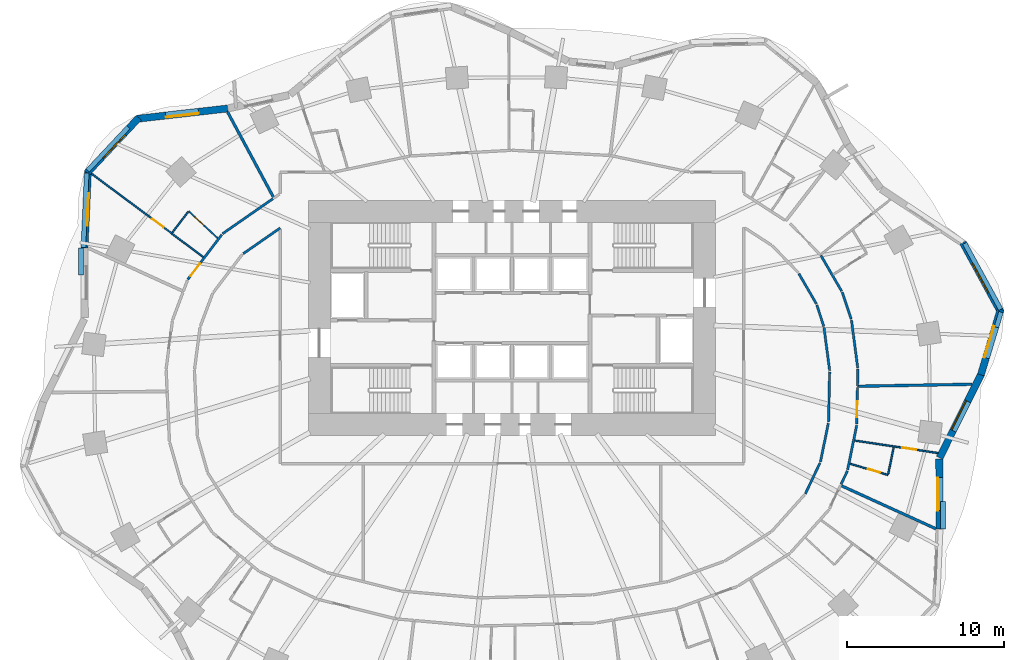
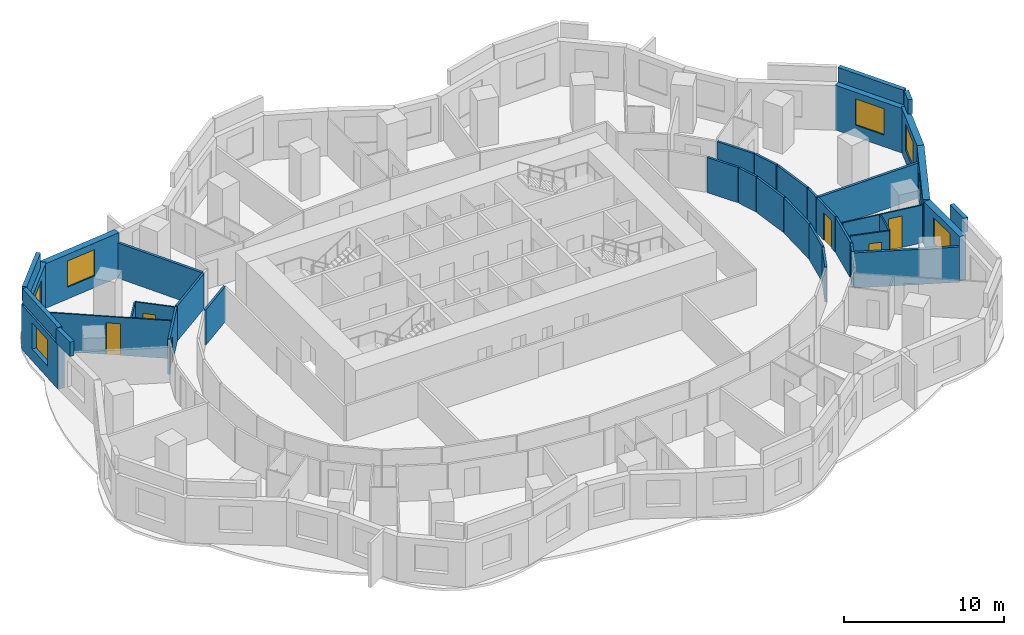
# One storey, part 7 of 11: 38 walls, 7 windows, 6 doors, 13 openings.
"""IFC4 building model written with IfcOpenShell, lengths in metres."""

from ifc_helpers import new_model, si_unit, direction, frame, frame_2d, origin, place, context, subcontext, project, spatial, rectangle, extrude, material, layer, layer_set, type_object, element, fill, save


model = new_model("IFC4")

# Units and contexts
model_context = context("Model", 3, precision=1e-05, world=origin(), true_north=direction((0.0, 1.0)))
body_context = subcontext(model_context, "Body", "Model", "MODEL_VIEW")
ifc_project = project(units=[si_unit("LENGTHUNIT", "METRE"), si_unit("AREAUNIT", "SQUARE_METRE"), si_unit("VOLUMEUNIT", "CUBIC_METRE"), si_unit("PLANEANGLEUNIT", "RADIAN"), si_unit("MASSUNIT", "GRAM", prefix="KILO")], contexts=[model_context])

# Site, building, storey
site_placement = place(None, origin())
site = spatial("IfcSite", under=ifc_project, at=site_placement, CompositionType="ELEMENT")
building_placement = place(site_placement, origin())
building = spatial("IfcBuilding", under=site, at=building_placement, Name="Rubra Terraces Tower", CompositionType="ELEMENT")
storey_placement = place(building_placement, frame((0.0, 0.0, 37.5)))
storey = spatial("IfcBuildingStorey", under=building, at=storey_placement, Name="L06", CompositionType="ELEMENT", Elevation=37.5)

# Walls
ifc_material_1 = material(Name="Twin plasterboard on staggered steel stud, acoustic mineral wool", Category="steel")
ifc_layer_1 = layer(ifc_material_1, 0.175048828125)
ifc_layer_set_1 = layer_set([ifc_layer_1], Name="Twin plasterboard on staggered steel stud, acoustic mineral wool")
wall_type_1 = type_object("IfcWallType", Name="ACOUSTIC PARTY WALL 175", PredefinedType="PARTITIONING", material=ifc_layer_set_1)
wall_1_placement = place(storey_placement, frame((29.367919921875, 0.26220703125, 0.0), z_axis=(0.0, 0.0, 1.0), x_axis=(-0.999850929157, -0.017266136319, 0.0)))
element("IfcWall", 1, at=wall_1_placement, inside=storey, type_object=wall_type_1, Name="PARTITION", PredefinedType="PARTITIONING", context=body_context, shape_type="SweptSolid", body=[
    extrude(rectangle(XDim=7.239501953125, YDim=0.175048828125, at=frame_2d((3.61962890625, 0.0))), origin(), (0.0, 0.0, 1.0), 2.679931640625),
])
wall_2_placement = place(storey_placement, frame((-18.152099609375, 17.638916015625, 0.0), z_axis=(0.0, 0.0, 1.0), x_axis=(0.473671861607, -0.880701406563, 0.0)))
element("IfcWall", 2, at=wall_2_placement, inside=storey, type_object=wall_type_1, Name="PARTITION", PredefinedType="PARTITIONING", context=body_context, shape_type="SweptSolid", body=[
    extrude(rectangle(XDim=6.158203125, YDim=0.175048828125, at=frame_2d((3.0791015625, 0.0))), origin(), (0.0, 0.0, 1.0), 2.679931640625),
])
wall_3_placement = place(storey_placement, frame((27.055908203125, -8.9599609375, 0.0), z_axis=(0.0, 0.0, 1.0), x_axis=(-0.910155137501, 0.414267577396, 0.0)))
element("IfcWall", 3, at=wall_3_placement, inside=storey, type_object=wall_type_1, Name="PARTITION", PredefinedType="PARTITIONING", context=body_context, shape_type="SweptSolid", body=[
    extrude(rectangle(XDim=6.610595703125, YDim=0.175048828125, at=frame_2d((3.30517578125, 0.0))), origin(), (0.0, 0.0, 1.0), 2.679931640625),
])

# Wall, opening, window
ifc_material_2 = material(Name="Brick masonry red-brown", Category="masonry")
ifc_layer_2 = layer(ifc_material_2, 0.449951171875)
ifc_layer_set_2 = layer_set([ifc_layer_2], Name="Brick masonry red-brown")
wall_type_2 = type_object("IfcWallType", Name="Brick facade wall 450", PredefinedType="SOLIDWALL", material=ifc_layer_set_2)
wall_4_placement = place(storey_placement, frame((29.926513671875, 0.86474609375, 0.0), z_axis=(0.0, 0.0, 1.0), x_axis=(0.289432445378, 0.957198443147, 0.0)))
wall_4 = element("IfcWall", 4, at=wall_4_placement, inside=storey, type_object=wall_type_2, Name="Facade wall L06 bay 1", PredefinedType="SOLIDWALL", context=body_context, shape_type="SweptSolid", body=[
    extrude(rectangle(XDim=4.361083984375, YDim=0.449951171875, at=frame_2d((2.1806640625, 0.0))), origin(), (0.0, 0.0, 1.0), 3.39990234375),
])
opening_1_placement = place(wall_4_placement, frame((1.130615234375, 0.0, 0.89990234375)))
opening_1 = element("IfcOpeningElement", 5, at=opening_1_placement, cuts=wall_4, Name="Opening W1", PredefinedType="OPENING", context=body_context, shape_type="SweptSolid", body=[
    extrude(rectangle(XDim=2.10009765625, YDim=2.0, at=frame_2d((1.050048828125, 1.0))), frame((0.0, 0.23486328125, 0.0), z_axis=(0.0, -1.0, 0.0), x_axis=(1.0, 0.0, 0.0)), (0.0, 0.0, 1.0), 0.469970703125),
])
ifc_material_3 = material(Name="Clear glass in aluminium frame", Category="aluminium")
window_type = type_object("IfcWindowType", Name="Fixed deep-set window 2100 x 2000", PartitioningType="SINGLE_PANEL", PredefinedType="WINDOW", material=ifc_material_3)
window_1_placement = place(opening_1_placement, origin())
window_1 = element("IfcWindow", 6, at=window_1_placement, inside=storey, type_object=window_type, Name="Window L06 bay 1", OverallHeight=2.0, OverallWidth=2.10009765625, PartitioningType="SINGLE_PANEL", PredefinedType="WINDOW", context=body_context, shape_type="SweptSolid", body=[
    extrude(rectangle(XDim=2.10009765625, YDim=2.0, at=frame_2d((1.050048828125, 1.0))), frame((0.0, 0.135009765625, 0.0), z_axis=(0.0, -1.0, 0.0), x_axis=(1.0, 0.0, 0.0)), (0.0, 0.0, 1.0), 0.06005859375),
])
fill(opening_1, window_1)

wall_5_placement = place(storey_placement, frame((31.20654296875, 4.8662109375, 0.0), z_axis=(0.0, 0.0, 1.0), x_axis=(-0.479565142605, 0.877506281458, 0.0)))
wall_5 = element("IfcWall", 7, at=wall_5_placement, inside=storey, type_object=wall_type_2, Name="Facade wall L06 bay 2", PredefinedType="SOLIDWALL", context=body_context, shape_type="SweptSolid", body=[
    extrude(rectangle(XDim=5.060791015625, YDim=0.449951171875, at=frame_2d((2.5302734375, 0.0))), origin(), (0.0, 0.0, 1.0), 3.39990234375),
])
opening_2_placement = place(wall_5_placement, frame((1.48046875, 0.0, 0.89990234375)))
opening_2 = element("IfcOpeningElement", 8, at=opening_2_placement, cuts=wall_5, Name="Opening W1", PredefinedType="OPENING", context=body_context, shape_type="SweptSolid", body=[
    extrude(rectangle(XDim=2.10009765625, YDim=2.0, at=frame_2d((1.050048828125, 1.0))), frame((0.0, 0.23486328125, 0.0), z_axis=(0.0, -1.0, 0.0), x_axis=(1.0, 0.0, 0.0)), (0.0, 0.0, 1.0), 0.469970703125),
])
window_2_placement = place(opening_2_placement, origin())
window_2 = element("IfcWindow", 9, at=window_2_placement, inside=storey, type_object=window_type, Name="Window L06 bay 2", OverallHeight=2.0, OverallWidth=2.10009765625, PartitioningType="SINGLE_PANEL", PredefinedType="WINDOW", context=body_context, shape_type="SweptSolid", body=[
    extrude(rectangle(XDim=2.10009765625, YDim=2.0, at=frame_2d((1.050048828125, 1.0))), frame((0.0, 0.135009765625, 0.0), z_axis=(0.0, -1.0, 0.0), x_axis=(1.0, 0.0, 0.0)), (0.0, 0.0, 1.0), 0.06005859375),
])
fill(opening_2, window_2)

wall_6_placement = place(storey_placement, frame((-18.154296875, 17.864990234375, 0.0), z_axis=(0.0, 0.0, 1.0), x_axis=(-0.993572909097, -0.113193967633, 0.0)))
wall_6 = element("IfcWall", 10, at=wall_6_placement, inside=storey, type_object=wall_type_2, Name="Facade wall L06 bay 16", PredefinedType="SOLIDWALL", context=body_context, shape_type="SweptSolid", body=[
    extrude(rectangle(XDim=5.838623046875, YDim=0.449951171875, at=frame_2d((2.91943359375, 0.0))), origin(), (0.0, 0.0, 1.0), 3.39990234375),
])
opening_3_placement = place(wall_6_placement, frame((1.869384765625, 0.0, 0.89990234375)))
opening_3 = element("IfcOpeningElement", 11, at=opening_3_placement, cuts=wall_6, Name="Opening W1", PredefinedType="OPENING", context=body_context, shape_type="SweptSolid", body=[
    extrude(rectangle(XDim=2.10009765625, YDim=2.0, at=frame_2d((1.050048828125, 1.0))), frame((0.0, 0.23486328125, 0.0), z_axis=(0.0, -1.0, 0.0), x_axis=(1.0, 0.0, 0.0)), (0.0, 0.0, 1.0), 0.469970703125),
])
window_3_placement = place(opening_3_placement, origin())
window_3 = element("IfcWindow", 12, at=window_3_placement, inside=storey, type_object=window_type, Name="Window L06 bay 16", OverallHeight=2.0, OverallWidth=2.10009765625, PartitioningType="SINGLE_PANEL", PredefinedType="WINDOW", context=body_context, shape_type="SweptSolid", body=[
    extrude(rectangle(XDim=2.10009765625, YDim=2.0, at=frame_2d((1.050048828125, 1.0))), frame((0.0, 0.135009765625, 0.0), z_axis=(0.0, -1.0, 0.0), x_axis=(1.0, 0.0, 0.0)), (0.0, 0.0, 1.0), 0.06005859375),
])
fill(opening_3, window_3)

wall_7_placement = place(storey_placement, frame((-23.822021484375, 17.273193359375, 0.0), z_axis=(0.0, 0.0, 1.0), x_axis=(-0.684173167988, -0.729319598122, 0.0)))
wall_7 = element("IfcWall", 13, at=wall_7_placement, inside=storey, type_object=wall_type_2, Name="Facade wall L06 bay 17", PredefinedType="SOLIDWALL", context=body_context, shape_type="SweptSolid", body=[
    extrude(rectangle(XDim=4.8291015625, YDim=0.449951171875, at=frame_2d((2.41455078125, 0.0))), origin(), (0.0, 0.0, 1.0), 3.39990234375),
])
opening_4_placement = place(wall_7_placement, frame((1.364501953125, 0.0, 0.89990234375)))
opening_4 = element("IfcOpeningElement", 14, at=opening_4_placement, cuts=wall_7, Name="Opening W1", PredefinedType="OPENING", context=body_context, shape_type="SweptSolid", body=[
    extrude(rectangle(XDim=2.10009765625, YDim=2.0, at=frame_2d((1.050048828125, 1.0))), frame((0.0, 0.23486328125, 0.0), z_axis=(0.0, -1.0, 0.0), x_axis=(1.0, 0.0, 0.0)), (0.0, 0.0, 1.0), 0.469970703125),
])
window_4_placement = place(opening_4_placement, origin())
window_4 = element("IfcWindow", 15, at=window_4_placement, inside=storey, type_object=window_type, Name="Window L06 bay 17", OverallHeight=2.0, OverallWidth=2.10009765625, PartitioningType="SINGLE_PANEL", PredefinedType="WINDOW", context=body_context, shape_type="SweptSolid", body=[
    extrude(rectangle(XDim=2.10009765625, YDim=2.0, at=frame_2d((1.050048828125, 1.0))), frame((0.0, 0.135009765625, 0.0), z_axis=(0.0, -1.0, 0.0), x_axis=(1.0, 0.0, 0.0)), (0.0, 0.0, 1.0), 0.06005859375),
])
fill(opening_4, window_4)

wall_8_placement = place(storey_placement, frame((-27.0654296875, 13.889892578125, 0.0), z_axis=(0.0, 0.0, 1.0), x_axis=(-0.044544250924, -0.99900741224, 0.0)))
wall_8 = element("IfcWall", 16, at=wall_8_placement, inside=storey, type_object=wall_type_2, Name="Facade wall L06 bay 18", PredefinedType="SOLIDWALL", context=body_context, shape_type="SweptSolid", body=[
    extrude(rectangle(XDim=4.938232421875, YDim=0.449951171875, at=frame_2d((2.46923828125, 0.0))), origin(), (0.0, 0.0, 1.0), 3.39990234375),
])
opening_5_placement = place(wall_8_placement, frame((1.419189453125, 0.0, 0.89990234375)))
opening_5 = element("IfcOpeningElement", 17, at=opening_5_placement, cuts=wall_8, Name="Opening W1", PredefinedType="OPENING", context=body_context, shape_type="SweptSolid", body=[
    extrude(rectangle(XDim=2.10009765625, YDim=2.0, at=frame_2d((1.050048828125, 1.0))), frame((0.0, 0.23486328125, 0.0), z_axis=(0.0, -1.0, 0.0), x_axis=(1.0, 0.0, 0.0)), (0.0, 0.0, 1.0), 0.469970703125),
])
window_5_placement = place(opening_5_placement, origin())
window_5 = element("IfcWindow", 18, at=window_5_placement, inside=storey, type_object=window_type, Name="Window L06 bay 18", OverallHeight=2.0, OverallWidth=2.10009765625, PartitioningType="SINGLE_PANEL", PredefinedType="WINDOW", context=body_context, shape_type="SweptSolid", body=[
    extrude(rectangle(XDim=2.10009765625, YDim=2.0, at=frame_2d((1.050048828125, 1.0))), frame((0.0, 0.135009765625, 0.0), z_axis=(0.0, -1.0, 0.0), x_axis=(1.0, 0.0, 0.0)), (0.0, 0.0, 1.0), 0.06005859375),
])
fill(opening_5, window_5)

wall_9_placement = place(storey_placement, frame((27.284912109375, -8.966796875, 0.0), z_axis=(0.0, 0.0, 1.0), x_axis=(-0.003185571797, 0.999994926053, 0.0)))
wall_9 = element("IfcWall", 19, at=wall_9_placement, inside=storey, type_object=wall_type_2, Name="Facade wall L06 bay 39", PredefinedType="SOLIDWALL", context=body_context, shape_type="SweptSolid", body=[
    extrude(rectangle(XDim=4.445068359375, YDim=0.449951171875, at=frame_2d((2.22265625, 0.0))), origin(), (0.0, 0.0, 1.0), 3.39990234375),
])
opening_6_placement = place(wall_9_placement, frame((1.172607421875, 0.0, 0.89990234375)))
opening_6 = element("IfcOpeningElement", 20, at=opening_6_placement, cuts=wall_9, Name="Opening W1", PredefinedType="OPENING", context=body_context, shape_type="SweptSolid", body=[
    extrude(rectangle(XDim=2.10009765625, YDim=2.0, at=frame_2d((1.050048828125, 1.0))), frame((0.0, 0.23486328125, 0.0), z_axis=(0.0, -1.0, 0.0), x_axis=(1.0, 0.0, 0.0)), (0.0, 0.0, 1.0), 0.469970703125),
])
window_6_placement = place(opening_6_placement, origin())
window_6 = element("IfcWindow", 21, at=window_6_placement, inside=storey, type_object=window_type, Name="Window L06 bay 39", OverallHeight=2.0, OverallWidth=2.10009765625, PartitioningType="SINGLE_PANEL", PredefinedType="WINDOW", context=body_context, shape_type="SweptSolid", body=[
    extrude(rectangle(XDim=2.10009765625, YDim=2.0, at=frame_2d((1.050048828125, 1.0))), frame((0.0, 0.135009765625, 0.0), z_axis=(0.0, -1.0, 0.0), x_axis=(1.0, 0.0, 0.0)), (0.0, 0.0, 1.0), 0.06005859375),
])
fill(opening_6, window_6)

wall_10_placement = place(storey_placement, frame((27.294189453125, -4.426513671875, 0.0), z_axis=(0.0, 0.0, 1.0), x_axis=(0.444913249375, 0.895573671191, 0.0)))
wall_10 = element("IfcWall", 22, at=wall_10_placement, inside=storey, type_object=wall_type_2, Name="Facade wall L06 bay 40", PredefinedType="SOLIDWALL", context=body_context, shape_type="SweptSolid", body=[
    extrude(rectangle(XDim=5.947265625, YDim=0.449951171875, at=frame_2d((2.9736328125, 0.0))), origin(), (0.0, 0.0, 1.0), 3.39990234375),
])
opening_7_placement = place(wall_10_placement, frame((1.923583984375, 0.0, 0.89990234375)))
opening_7 = element("IfcOpeningElement", 23, at=opening_7_placement, cuts=wall_10, Name="Opening W1", PredefinedType="OPENING", context=body_context, shape_type="SweptSolid", body=[
    extrude(rectangle(XDim=2.10009765625, YDim=2.0, at=frame_2d((1.050048828125, 1.0))), frame((0.0, 0.23486328125, 0.0), z_axis=(0.0, -1.0, 0.0), x_axis=(1.0, 0.0, 0.0)), (0.0, 0.0, 1.0), 0.469970703125),
])
window_7_placement = place(opening_7_placement, origin())
window_7 = element("IfcWindow", 24, at=window_7_placement, inside=storey, type_object=window_type, Name="Window L06 bay 40", OverallHeight=2.0, OverallWidth=2.10009765625, PartitioningType="SINGLE_PANEL", PredefinedType="WINDOW", context=body_context, shape_type="SweptSolid", body=[
    extrude(rectangle(XDim=2.10009765625, YDim=2.0, at=frame_2d((1.050048828125, 1.0))), frame((0.0, 0.135009765625, 0.0), z_axis=(0.0, -1.0, 0.0), x_axis=(1.0, 0.0, 0.0)), (0.0, 0.0, 1.0), 0.06005859375),
])
fill(opening_7, window_7)

# Walls
ifc_layer_3 = layer(ifc_material_2, 0.300048828125)
ifc_layer_set_3 = layer_set([ifc_layer_3], Name="Brick masonry red-brown")
wall_type_3 = type_object("IfcWallType", Name="Brick parapet 300", PredefinedType="PARAPET", material=ifc_layer_set_3)
wall_11_placement = place(storey_placement, frame((30.923583984375, 3.9033203125, 3.60009765625), z_axis=(0.0, 0.0, 1.0), x_axis=(0.289368862089, 0.95721766681, 0.0)))
element("IfcWall", 25, at=wall_11_placement, inside=storey, type_object=wall_type_3, Name="Parapet L06 bay 1", PredefinedType="PARAPET", context=body_context, shape_type="SweptSolid", body=[
    extrude(rectangle(XDim=1.00830078125, YDim=0.300048828125, at=frame_2d((0.504150390625, 0.0))), origin(), (0.0, 0.0, 1.0), 1.099853515625),
])
wall_12_placement = place(storey_placement, frame((31.19775390625, 5.038818359375, 3.60009765625), z_axis=(0.0, 0.0, 1.0), x_axis=(-0.479564593641, 0.877506581472, 0.0)))
element("IfcWall", 26, at=wall_12_placement, inside=storey, type_object=wall_type_3, Name="Parapet L06 bay 2", PredefinedType="PARAPET", context=body_context, shape_type="SweptSolid", body=[
    extrude(rectangle(XDim=4.80078125, YDim=0.300048828125, at=frame_2d((2.400390625, 0.0))), origin(), (0.0, 0.0, 1.0), 1.099853515625),
])
wall_13_placement = place(storey_placement, frame((-24.4814453125, 16.6796875, 3.60009765625), z_axis=(0.0, 0.0, 1.0), x_axis=(-0.684154586848, -0.729337028606, 0.0)))
element("IfcWall", 27, at=wall_13_placement, inside=storey, type_object=wall_type_3, Name="Parapet L06 bay 17", PredefinedType="PARAPET", context=body_context, shape_type="SweptSolid", body=[
    extrude(rectangle(XDim=3.803955078125, YDim=0.300048828125, at=frame_2d((1.90185546875, 0.0))), origin(), (0.0, 0.0, 1.0), 1.099853515625),
])
wall_14_placement = place(storey_placement, frame((-27.146484375, 13.75732421875, 3.60009765625), z_axis=(0.0, 0.0, 1.0), x_axis=(-0.044503972994, -0.999009207359, 0.0)))
element("IfcWall", 28, at=wall_14_placement, inside=storey, type_object=wall_type_3, Name="Parapet L06 bay 18", PredefinedType="PARAPET", context=body_context, shape_type="SweptSolid", body=[
    extrude(rectangle(XDim=4.76708984375, YDim=0.300048828125, at=frame_2d((2.383544921875, 0.0))), origin(), (0.0, 0.0, 1.0), 1.099853515625),
])
for number, where, z_axis, x_axis, name in (
    (29, (-27.510009765625, 8.9716796875, 3.60009765625), (0.0, 0.0, 1.0), (0.003223981002, -0.99999480296, 0.0), "Parapet L06 bay 19"),
    (30, (27.510009765625, -8.9716796875, 3.60009765625), (0.0, 0.0, 1.0), (-0.003223981002, 0.99999480296, 0.0), "Parapet L06 bay 39"),
):
    element("IfcWall", number, at=place(storey_placement, frame(where, z_axis=z_axis, x_axis=x_axis)), inside=storey, type_object=wall_type_3, Name=name, PredefinedType="PARAPET", context=body_context, shape_type="SweptSolid", body=[
        extrude(rectangle(XDim=1.74169921875, YDim=0.300048828125, at=frame_2d((0.870849609375, 0.0))), origin(), (0.0, 0.0, 1.0), 1.099853515625),
    ])
ifc_material_4 = material(Name="Plasterboard on steel stud, mineral wool infill", Category="steel")
ifc_layer_4 = layer(ifc_material_4, 0.14990234375)
ifc_layer_set_4 = layer_set([ifc_layer_4], Name="Plasterboard on steel stud, mineral wool infill")
wall_type_4 = type_object("IfcWallType", Name="CORRIDOR PARTITION 150", PredefinedType="PARTITIONING", material=ifc_layer_set_4)
wall_15_placement = place(storey_placement, frame((22.05419921875, 0.135986328125, 0.0), z_axis=(0.0, 0.0, 1.0), x_axis=(0.021328480471, 0.999772522087, 0.0)))
element("IfcWall", 31, at=wall_15_placement, inside=storey, type_object=wall_type_4, Name="PARTITION", PredefinedType="PARTITIONING", context=body_context, shape_type="SweptSolid", body=[
    extrude(rectangle(XDim=1.098876953125, YDim=0.14990234375, at=frame_2d((0.54931640625, 0.0))), origin(), (0.0, 0.0, 1.0), 2.679931640625),
])
wall_16_placement = place(storey_placement, frame((22.06787109375, 1.30908203125, 0.0), z_axis=(0.0, 0.0, 1.0), x_axis=(-0.129922755307, 0.991524118543, 0.0)))
element("IfcWall", 32, at=wall_16_placement, inside=storey, type_object=wall_type_4, Name="PARTITION", PredefinedType="PARTITIONING", context=body_context, shape_type="SweptSolid", body=[
    extrude(rectangle(XDim=3.076171875, YDim=0.14990234375, at=frame_2d((1.5380859375, 0.0))), origin(), (0.0, 0.0, 1.0), 2.679931640625),
])
wall_17_placement = place(storey_placement, frame((21.644775390625, 4.430419921875, 0.0), z_axis=(0.0, 0.0, 1.0), x_axis=(-0.313700743044, 0.949521902756, 0.0)))
element("IfcWall", 33, at=wall_17_placement, inside=storey, type_object=wall_type_4, Name="PARTITION", PredefinedType="PARTITIONING", context=body_context, shape_type="SweptSolid", body=[
    extrude(rectangle(XDim=1.7978515625, YDim=0.14990234375, at=frame_2d((0.89892578125, 0.0))), origin(), (0.0, 0.0, 1.0), 2.679931640625),
])
wall_18_placement = place(storey_placement, frame((21.043212890625, 6.2021484375, 0.0), z_axis=(0.0, 0.0, 1.0), x_axis=(-0.502371650135, 0.864651794158, 0.0)))
element("IfcWall", 34, at=wall_18_placement, inside=storey, type_object=wall_type_4, Name="PARTITION", PredefinedType="PARTITIONING", context=body_context, shape_type="SweptSolid", body=[
    extrude(rectangle(XDim=2.643798828125, YDim=0.14990234375, at=frame_2d((1.32177734375, 0.0))), origin(), (0.0, 0.0, 1.0), 2.679931640625),
])
wall_19_placement = place(storey_placement, frame((-15.26123046875, 12.1064453125, 0.0), z_axis=(0.0, 0.0, 1.0), x_axis=(-0.821154131814, -0.57070648481, 0.0)))
element("IfcWall", 35, at=wall_19_placement, inside=storey, type_object=wall_type_4, Name="PARTITION", PredefinedType="PARTITIONING", context=body_context, shape_type="SweptSolid", body=[
    extrude(rectangle(XDim=3.916748046875, YDim=0.14990234375, at=frame_2d((1.95849609375, 0.0))), origin(), (0.0, 0.0, 1.0), 2.679931640625),
])

# Wall, opening, door
wall_20_placement = place(storey_placement, frame((-18.52294921875, 9.811279296875, 0.0), z_axis=(0.0, 0.0, 1.0), x_axis=(-0.605040130963, -0.796194976073, 0.0)))
wall_20 = element("IfcWall", 36, at=wall_20_placement, inside=storey, type_object=wall_type_4, Name="PARTITION", PredefinedType="PARTITIONING", context=body_context, shape_type="SweptSolid", body=[
    extrude(rectangle(XDim=3.587646484375, YDim=0.14990234375, at=frame_2d((1.7939453125, 0.0))), origin(), (0.0, 0.0, 1.0), 2.679931640625),
])
opening_8_placement = place(wall_20_placement, frame((2.300048828125, 0.0, 0.0)))
opening_8 = element("IfcOpeningElement", 37, at=opening_8_placement, cuts=wall_20, Name="Opening 06-115", PredefinedType="OPENING", context=body_context, shape_type="SweptSolid", body=[
    extrude(rectangle(XDim=1.0, YDim=2.10009765625, at=frame_2d((0.5, 1.050048828125))), frame((0.0, 0.0849609375, 0.0), z_axis=(0.0, -1.0, 0.0), x_axis=(1.0, 0.0, 0.0)), (0.0, 0.0, 1.0), 0.169921875),
])
ifc_material_5 = material(Name="Painted timber door leaf", Category="wood")
door_type_1 = type_object("IfcDoorType", Name="ROOM DOOR 1000 X 2100", OperationType="SINGLE_SWING_LEFT", PredefinedType="DOOR", material=ifc_material_5)
door_1_placement = place(opening_8_placement, origin())
door_1 = element("IfcDoor", 38, at=door_1_placement, inside=storey, type_object=door_type_1, Name="DOOR 06-115", OperationType="SINGLE_SWING_RIGHT", OverallHeight=2.10009765625, OverallWidth=1.0, PredefinedType="DOOR", context=body_context, shape_type="SweptSolid", body=[
    extrude(rectangle(XDim=1.0, YDim=2.10009765625, at=frame_2d((0.5, 1.050048828125))), frame((0.0, 0.02490234375, 0.0), z_axis=(0.0, -1.0, 0.0), x_axis=(1.0, 0.0, 0.0)), (0.0, 0.0, 1.0), 0.050048828125),
])
fill(opening_8, door_1)

# Walls
wall_21_placement = place(storey_placement, frame((21.003173828125, -6.12255859375, 0.0), z_axis=(0.0, 0.0, 1.0), x_axis=(0.427986355143, 0.903785195614, 0.0)))
element("IfcWall", 39, at=wall_21_placement, inside=storey, type_object=wall_type_4, Name="PARTITION", PredefinedType="PARTITIONING", context=body_context, shape_type="SweptSolid", body=[
    extrude(rectangle(XDim=0.944580078125, YDim=0.14990234375, at=frame_2d((0.47216796875, 0.0))), origin(), (0.0, 0.0, 1.0), 2.679931640625),
])
wall_22_placement = place(storey_placement, frame((21.422607421875, -5.1953125, 0.0), z_axis=(0.0, 0.0, 1.0), x_axis=(0.199793264012, 0.979838074202, 0.0)))
element("IfcWall", 40, at=wall_22_placement, inside=storey, type_object=wall_type_4, Name="PARTITION", PredefinedType="PARTITIONING", context=body_context, shape_type="SweptSolid", body=[
    extrude(rectangle(XDim=2.897216796875, YDim=0.14990234375, at=frame_2d((1.44873046875, 0.0))), origin(), (0.0, 0.0, 1.0), 2.679931640625),
])

# Wall, opening, door
wall_23_placement = place(storey_placement, frame((22.003173828125, -2.281494140625, 0.0), z_axis=(0.0, 0.0, 1.0), x_axis=(0.021152119081, 0.999776268901, 0.0)))
wall_23 = element("IfcWall", 41, at=wall_23_placement, inside=storey, type_object=wall_type_4, Name="PARTITION", PredefinedType="PARTITIONING", context=body_context, shape_type="SweptSolid", body=[
    extrude(rectangle(XDim=2.343017578125, YDim=0.14990234375, at=frame_2d((1.17138671875, 0.0))), origin(), (0.0, 0.0, 1.0), 2.679931640625),
])
opening_9_placement = place(wall_23_placement, frame((0.449951171875, 0.0, 0.0)))
opening_9 = element("IfcOpeningElement", 42, at=opening_9_placement, cuts=wall_23, Name="Opening 06-134", PredefinedType="OPENING", context=body_context, shape_type="SweptSolid", body=[
    extrude(rectangle(XDim=1.0, YDim=2.10009765625, at=frame_2d((0.5, 1.050048828125))), frame((0.0, 0.0849609375, 0.0), z_axis=(0.0, -1.0, 0.0), x_axis=(1.0, 0.0, 0.0)), (0.0, 0.0, 1.0), 0.169921875),
])
door_2_placement = place(opening_9_placement, origin())
door_2 = element("IfcDoor", 43, at=door_2_placement, inside=storey, type_object=door_type_1, Name="DOOR 06-134", OperationType="SINGLE_SWING_RIGHT", OverallHeight=2.10009765625, OverallWidth=1.0, PredefinedType="DOOR", context=body_context, shape_type="SweptSolid", body=[
    extrude(rectangle(XDim=1.0, YDim=2.10009765625, at=frame_2d((0.5, 1.050048828125))), frame((0.0, 0.02490234375, 0.0), z_axis=(0.0, -1.0, 0.0), x_axis=(1.0, 0.0, 0.0)), (0.0, 0.0, 1.0), 0.050048828125),
])
fill(opening_9, door_2)

# Walls
wall_24_placement = place(storey_placement, frame((18.306396484375, 7.329345703125, 0.0), z_axis=(0.0, 0.0, 1.0), x_axis=(0.502425081691, -0.864620747662, 0.0)))
element("IfcWall", 44, at=wall_24_placement, inside=storey, type_object=wall_type_4, Name="PARTITION", PredefinedType="PARTITIONING", context=body_context, shape_type="SweptSolid", body=[
    extrude(rectangle(XDim=2.2373046875, YDim=0.14990234375, at=frame_2d((1.11865234375, 0.0))), origin(), (0.0, 0.0, 1.0), 2.679931640625),
])
wall_25_placement = place(storey_placement, frame((19.453857421875, 5.32373046875, 0.0), z_axis=(0.0, 0.0, 1.0), x_axis=(0.313632756375, -0.949544361327, 0.0)))
element("IfcWall", 45, at=wall_25_placement, inside=storey, type_object=wall_type_4, Name="PARTITION", PredefinedType="PARTITIONING", context=body_context, shape_type="SweptSolid", body=[
    extrude(rectangle(XDim=1.440185546875, YDim=0.14990234375, at=frame_2d((0.72021484375, 0.0))), origin(), (0.0, 0.0, 1.0), 2.679931640625),
])
wall_26_placement = place(storey_placement, frame((19.915283203125, 3.882080078125, 0.0), z_axis=(0.0, 0.0, 1.0), x_axis=(0.129945947446, -0.991521079323, 0.0)))
element("IfcWall", 46, at=wall_26_placement, inside=storey, type_object=wall_type_4, Name="PARTITION", PredefinedType="PARTITIONING", context=body_context, shape_type="SweptSolid", body=[
    extrude(rectangle(XDim=2.769287109375, YDim=0.14990234375, at=frame_2d((1.384765625, 0.0))), origin(), (0.0, 0.0, 1.0), 2.679931640625),
])
wall_27_placement = place(storey_placement, frame((20.2734375, 1.061279296875, 0.0), z_axis=(0.0, 0.0, 1.0), x_axis=(-0.021166906337, -0.99977595594, 0.0)))
element("IfcWall", 47, at=wall_27_placement, inside=storey, type_object=wall_type_4, Name="PARTITION", PredefinedType="PARTITIONING", context=body_context, shape_type="SweptSolid", body=[
    extrude(rectangle(XDim=3.218017578125, YDim=0.14990234375, at=frame_2d((1.60888671875, 0.0))), origin(), (0.0, 0.0, 1.0), 2.679931640625),
])
wall_28_placement = place(storey_placement, frame((20.190185546875, -2.2294921875, 0.0), z_axis=(0.0, 0.0, 1.0), x_axis=(-0.199752828647, -0.97984631828, 0.0)))
element("IfcWall", 48, at=wall_28_placement, inside=storey, type_object=wall_type_4, Name="PARTITION", PredefinedType="PARTITIONING", context=body_context, shape_type="SweptSolid", body=[
    extrude(rectangle(XDim=2.5166015625, YDim=0.14990234375, at=frame_2d((1.25830078125, 0.0))), origin(), (0.0, 0.0, 1.0), 2.679931640625),
])
wall_29_placement = place(storey_placement, frame((19.6552734375, -4.76318359375, 0.0), z_axis=(0.0, 0.0, 1.0), x_axis=(-0.427965880464, -0.903794891089, 0.0)))
element("IfcWall", 49, at=wall_29_placement, inside=storey, type_object=wall_type_4, Name="PARTITION", PredefinedType="PARTITIONING", context=body_context, shape_type="SweptSolid", body=[
    extrude(rectangle(XDim=2.177978515625, YDim=0.14990234375, at=frame_2d((1.0888671875, 0.0))), origin(), (0.0, 0.0, 1.0), 2.679931640625),
])
wall_30_placement = place(storey_placement, frame((-17.15478515625, 8.59814453125, 0.0), z_axis=(0.0, 0.0, 1.0), x_axis=(0.821087350938, 0.570802559673, 0.0)))
element("IfcWall", 50, at=wall_30_placement, inside=storey, type_object=wall_type_4, Name="PARTITION", PredefinedType="PARTITIONING", context=body_context, shape_type="SweptSolid", body=[
    extrude(rectangle(XDim=2.867919921875, YDim=0.14990234375, at=frame_2d((1.43408203125, 0.0))), origin(), (0.0, 0.0, 1.0), 2.679931640625),
])

# Wall, opening, door
ifc_material_6 = material(Name="Plasterboard on steel stud", Category="steel")
ifc_layer_5 = layer(ifc_material_6, 0.10009765625)
ifc_layer_set_5 = layer_set([ifc_layer_5], Name="Plasterboard on steel stud")
wall_type_5 = type_object("IfcWallType", Name="ROOM PARTITION 100", PredefinedType="PARTITIONING", material=ifc_layer_set_5)
wall_31_placement = place(storey_placement, frame((-26.843994140625, 13.715576171875, 0.0), z_axis=(0.0, 0.0, 1.0), x_axis=(0.801519329803, -0.59796886537, 0.0)))
wall_31 = element("IfcWall", 51, at=wall_31_placement, inside=storey, type_object=wall_type_5, Name="PARTITION", PredefinedType="PARTITIONING", context=body_context, shape_type="SweptSolid", body=[
    extrude(rectangle(XDim=8.912841796875, YDim=0.10009765625, at=frame_2d((4.45654296875, 0.0))), origin(), (0.0, 0.0, 1.0), 2.884033203125),
])
opening_10_placement = place(wall_31_placement, frame((4.837890625, 0.0, 0.0)))
opening_10 = element("IfcOpeningElement", 52, at=opening_10_placement, cuts=wall_31, Name="Opening 06-114", PredefinedType="OPENING", context=body_context, shape_type="SweptSolid", body=[
    extrude(rectangle(XDim=0.89990234375, YDim=2.39990234375, at=frame_2d((0.449951171875, 1.199951171875))), frame((0.0, 0.06005859375, 0.0), z_axis=(0.0, -1.0, 0.0), x_axis=(1.0, 0.0, 0.0)), (0.0, 0.0, 1.0), 0.1201171875),
])
ifc_material_7 = material(Name="Veneered timber door leaf, fire-rated", Category="wood")
door_type_2 = type_object("IfcDoorType", Name="SUITE ENTRANCE DOOR 900 X 2400", OperationType="SINGLE_SWING_LEFT", PredefinedType="DOOR", material=ifc_material_7)
door_3_placement = place(opening_10_placement, origin())
door_3 = element("IfcDoor", 53, at=door_3_placement, inside=storey, type_object=door_type_2, Name="DOOR 06-114", OperationType="SINGLE_SWING_LEFT", OverallHeight=2.39990234375, OverallWidth=0.89990234375, PredefinedType="DOOR", context=body_context, shape_type="SweptSolid", body=[
    extrude(rectangle(XDim=0.89990234375, YDim=2.39990234375, at=frame_2d((0.449951171875, 1.199951171875))), frame((0.0, 0.02490234375, 0.0), z_axis=(0.0, -1.0, 0.0), x_axis=(1.0, 0.0, 0.0)), (0.0, 0.0, 1.0), 0.050048828125),
])
fill(opening_10, door_3)

wall_32_placement = place(storey_placement, frame((-18.787353515625, 9.586669921875, 0.0), z_axis=(0.0, 0.0, 1.0), x_axis=(-0.731473133424, 0.681870262645, 0.0)))
wall_32 = element("IfcWall", 54, at=wall_32_placement, inside=storey, type_object=wall_type_5, Name="PARTITION", PredefinedType="PARTITIONING", context=body_context, shape_type="SweptSolid", body=[
    extrude(rectangle(XDim=2.52490234375, YDim=0.10009765625, at=frame_2d((1.262451171875, 0.0))), origin(), (0.0, 0.0, 1.0), 2.884033203125),
])
opening_11_placement = place(wall_32_placement, frame((1.199951171875, 0.0, 0.0)))
opening_11 = element("IfcOpeningElement", 55, at=opening_11_placement, cuts=wall_32, Name="Opening 06-113", PredefinedType="OPENING", context=body_context, shape_type="SweptSolid", body=[
    extrude(rectangle(XDim=0.800048828125, YDim=2.10009765625, at=frame_2d((0.39990234375, 1.050048828125))), frame((0.0, 0.06005859375, 0.0), z_axis=(0.0, -1.0, 0.0), x_axis=(1.0, 0.0, 0.0)), (0.0, 0.0, 1.0), 0.1201171875),
])
door_type_3 = type_object("IfcDoorType", Name="BATHROOM DOOR 800 X 2100", OperationType="SINGLE_SWING_LEFT", PredefinedType="DOOR", material=ifc_material_5)
door_4_placement = place(opening_11_placement, origin())
door_4 = element("IfcDoor", 56, at=door_4_placement, inside=storey, type_object=door_type_3, Name="DOOR 06-113", OperationType="SINGLE_SWING_LEFT", OverallHeight=2.10009765625, OverallWidth=0.800048828125, PredefinedType="DOOR", context=body_context, shape_type="SweptSolid", body=[
    extrude(rectangle(XDim=0.800048828125, YDim=2.10009765625, at=frame_2d((0.39990234375, 1.050048828125))), frame((0.0, 0.02490234375, 0.0), z_axis=(0.0, -1.0, 0.0), x_axis=(1.0, 0.0, 0.0)), (0.0, 0.0, 1.0), 0.050048828125),
])
fill(opening_11, door_4)

# Wall
wall_33_placement = place(storey_placement, frame((-20.664794921875, 11.268798828125, 0.0), z_axis=(0.0, 0.0, 1.0), x_axis=(-0.610915108386, -0.791696109847, 0.0)))
element("IfcWall", 57, at=wall_33_placement, inside=storey, type_object=wall_type_5, Name="PARTITION", PredefinedType="PARTITIONING", context=body_context, shape_type="SweptSolid", body=[
    extrude(rectangle(XDim=1.68408203125, YDim=0.10009765625, at=frame_2d((0.842041015625, 0.0))), origin(), (0.0, 0.0, 1.0), 2.884033203125),
])

# Wall, opening, door
wall_34_placement = place(storey_placement, frame((27.19140625, -4.127685546875, 0.0), z_axis=(0.0, 0.0, 1.0), x_axis=(-0.988935352735, 0.148347120333, 0.0)))
wall_34 = element("IfcWall", 58, at=wall_34_placement, inside=storey, type_object=wall_type_5, Name="PARTITION", PredefinedType="PARTITIONING", context=body_context, shape_type="SweptSolid", body=[
    extrude(rectangle(XDim=5.37158203125, YDim=0.10009765625, at=frame_2d((2.685791015625, 0.0))), origin(), (0.0, 0.0, 1.0), 2.884033203125),
])
opening_12_placement = place(wall_34_placement, frame((1.39990234375, 0.0, 0.0)))
opening_12 = element("IfcOpeningElement", 59, at=opening_12_placement, cuts=wall_34, Name="Opening 06-133", PredefinedType="OPENING", context=body_context, shape_type="SweptSolid", body=[
    extrude(rectangle(XDim=0.89990234375, YDim=2.39990234375, at=frame_2d((0.449951171875, 1.199951171875))), frame((0.0, 0.06005859375, 0.0), z_axis=(0.0, -1.0, 0.0), x_axis=(1.0, 0.0, 0.0)), (0.0, 0.0, 1.0), 0.1201171875),
])
door_5_placement = place(opening_12_placement, origin())
door_5 = element("IfcDoor", 60, at=door_5_placement, inside=storey, type_object=door_type_2, Name="DOOR 06-133", OperationType="SINGLE_SWING_LEFT", OverallHeight=2.39990234375, OverallWidth=0.89990234375, PredefinedType="DOOR", context=body_context, shape_type="SweptSolid", body=[
    extrude(rectangle(XDim=0.89990234375, YDim=2.39990234375, at=frame_2d((0.449951171875, 1.199951171875))), frame((0.0, 0.02490234375, 0.0), z_axis=(0.0, -1.0, 0.0), x_axis=(1.0, 0.0, 0.0)), (0.0, 0.0, 1.0), 0.050048828125),
])
fill(opening_12, door_5)

wall_35_placement = place(storey_placement, frame((21.5771484375, -4.810546875, 0.0), z_axis=(0.0, 0.0, 1.0), x_axis=(0.958920921335, -0.283673521193, 0.0)))
wall_35 = element("IfcWall", 61, at=wall_35_placement, inside=storey, type_object=wall_type_5, Name="PARTITION", PredefinedType="PARTITIONING", context=body_context, shape_type="SweptSolid", body=[
    extrude(rectangle(XDim=2.525146484375, YDim=0.10009765625, at=frame_2d((1.2626953125, 0.0))), origin(), (0.0, 0.0, 1.0), 2.884033203125),
])
opening_13_placement = place(wall_35_placement, frame((1.199951171875, 0.0, 0.0)))
opening_13 = element("IfcOpeningElement", 62, at=opening_13_placement, cuts=wall_35, Name="Opening 06-132", PredefinedType="OPENING", context=body_context, shape_type="SweptSolid", body=[
    extrude(rectangle(XDim=0.800048828125, YDim=2.10009765625, at=frame_2d((0.39990234375, 1.050048828125))), frame((0.0, 0.06005859375, 0.0), z_axis=(0.0, -1.0, 0.0), x_axis=(1.0, 0.0, 0.0)), (0.0, 0.0, 1.0), 0.1201171875),
])
door_6_placement = place(opening_13_placement, origin())
door_6 = element("IfcDoor", 63, at=door_6_placement, inside=storey, type_object=door_type_3, Name="DOOR 06-132", OperationType="SINGLE_SWING_LEFT", OverallHeight=2.10009765625, OverallWidth=0.800048828125, PredefinedType="DOOR", context=body_context, shape_type="SweptSolid", body=[
    extrude(rectangle(XDim=0.800048828125, YDim=2.10009765625, at=frame_2d((0.39990234375, 1.050048828125))), frame((0.0, 0.02490234375, 0.0), z_axis=(0.0, -1.0, 0.0), x_axis=(1.0, 0.0, 0.0)), (0.0, 0.0, 1.0), 0.050048828125),
])
fill(opening_13, door_6)

# Wall
wall_36_placement = place(storey_placement, frame((24.0087890625, -5.477783203125, 0.0), z_axis=(0.0, 0.0, 1.0), x_axis=(0.202940438514, 0.979191083709, 0.0)))
element("IfcWall", 64, at=wall_36_placement, inside=storey, type_object=wall_type_5, Name="PARTITION", PredefinedType="PARTITIONING", context=body_context, shape_type="SweptSolid", body=[
    extrude(rectangle(XDim=1.760009765625, YDim=0.10009765625, at=frame_2d((0.8798828125, 0.0))), origin(), (0.0, 0.0, 1.0), 2.884033203125),
])

save(model, "model.ifc")
